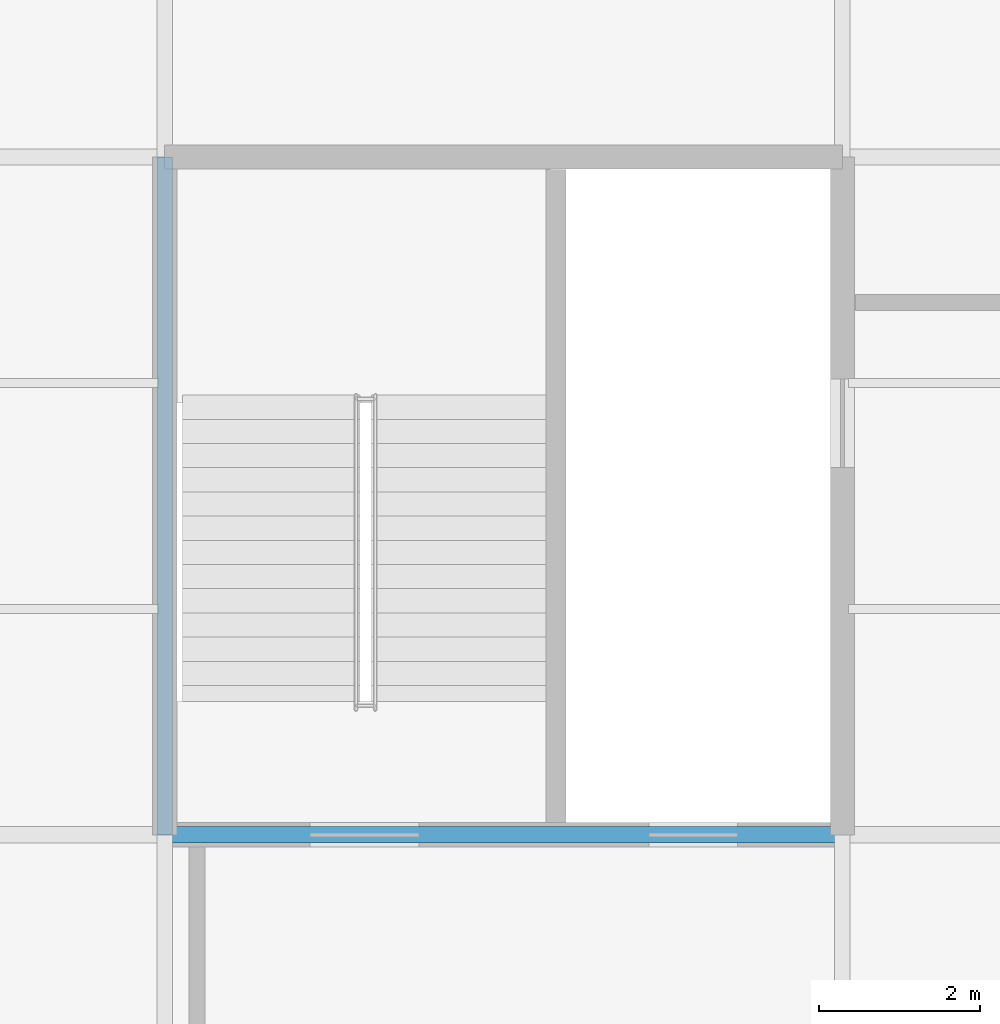
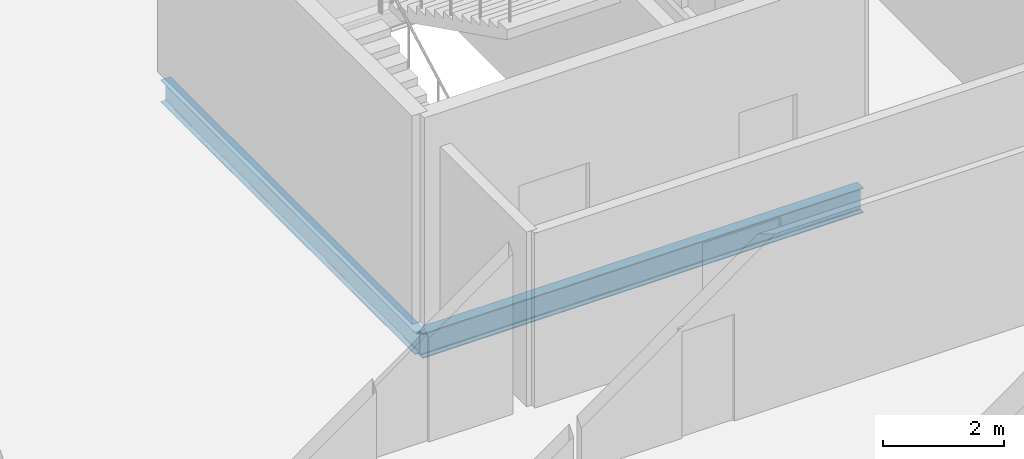
# One storey, part 16 of 65: 2 beams.
"""IFC4 building model written with IfcOpenShell, lengths in metres."""

from ifc_helpers import new_model, si_unit, direction, frame, origin, origin_2d, place, context, subcontext, project, spatial, i_section, extrude, material, material_profile, profile_set, type_object, element, save


model = new_model("IFC4")

# Units and contexts
model_context = context("Model", 3, precision=1e-05, world=origin(), true_north=direction((0.0, 1.0)))
body_context = subcontext(model_context, "Body", "Model", "MODEL_VIEW")
ifc_project = project(units=[si_unit("LENGTHUNIT", "METRE"), si_unit("AREAUNIT", "SQUARE_METRE"), si_unit("VOLUMEUNIT", "CUBIC_METRE"), si_unit("PLANEANGLEUNIT", "RADIAN"), si_unit("MASSUNIT", "GRAM", prefix="KILO")], contexts=[model_context])

# Site, building, storey
site_placement = place(None, origin())
site = spatial("IfcSite", under=ifc_project, at=site_placement, CompositionType="ELEMENT")
building_placement = place(site_placement, origin())
building = spatial("IfcBuilding", under=site, at=building_placement, Name="Qalvenar Corner Mobility Hub", CompositionType="ELEMENT")
storey_placement = place(building_placement, frame((0.0, 0.0, 17.39990234375)))
storey = spatial("IfcBuildingStorey", under=building, at=storey_placement, Name="L04", CompositionType="ELEMENT", Elevation=17.39990234375)

# Beams
ifc_material = material(Name="Steel S355", Category="steel")
ifc_material_profile_1 = material_profile(ifc_material, i_section(OverallWidth=0.18994140625, OverallDepth=0.449951171875, WebThickness=0.009521484375, FlangeThickness=0.0146484375, FilletRadius=0.02099609375, at=origin_2d()), Name="IPE450")
ifc_profile_set_1 = profile_set([ifc_material_profile_1], Name="Steel S355")
beam_type_1 = type_object("IfcBeamType", Name="BM-IPE450", PredefinedType="BEAM", material=ifc_profile_set_1)
beam_1_placement = place(storey_placement, frame((8.39990234375, 8.39990234375, -0.40478515625), z_axis=(0.0, 1.0, 0.0), x_axis=(-1.0, 0.0, 0.0)))
element("IfcBeam", 1, at=beam_1_placement, inside=storey, type_object=beam_type_1, Name="Primary Steel Girder GY-2633", PredefinedType="BEAM", context=body_context, shape_type="SweptSolid", body=[
    extrude(i_section(OverallWidth=0.18994140625, OverallDepth=0.449951171875, WebThickness=0.009521484375, FlangeThickness=0.0146484375, FilletRadius=0.02099609375, at=origin_2d()), origin(), (0.0, 0.0, 1.0), 8.400146484375),
])
ifc_material_profile_2 = material_profile(ifc_material, i_section(OverallWidth=0.199951171875, OverallDepth=0.5, WebThickness=0.01025390625, FlangeThickness=0.01611328125, FilletRadius=0.02099609375, at=origin_2d()), Name="IPE500")
ifc_profile_set_2 = profile_set([ifc_material_profile_2], Name="Steel S355")
beam_type_2 = type_object("IfcBeamType", Name="BM-IPE500", PredefinedType="BEAM", material=ifc_profile_set_2)
beam_2_placement = place(storey_placement, frame((8.39990234375, 8.39990234375, -0.429931640625), z_axis=(1.0, 0.0, 0.0), x_axis=(0.0, 1.0, 0.0)))
element("IfcBeam", 2, at=beam_2_placement, inside=storey, type_object=beam_type_2, Name="Primary Steel Girder GX-2598", PredefinedType="BEAM", context=body_context, shape_type="SweptSolid", body=[
    extrude(i_section(OverallWidth=0.199951171875, OverallDepth=0.5, WebThickness=0.01025390625, FlangeThickness=0.01611328125, FilletRadius=0.02099609375, at=origin_2d()), origin(), (0.0, 0.0, 1.0), 8.400146484375),
])

save(model, "model.ifc")
